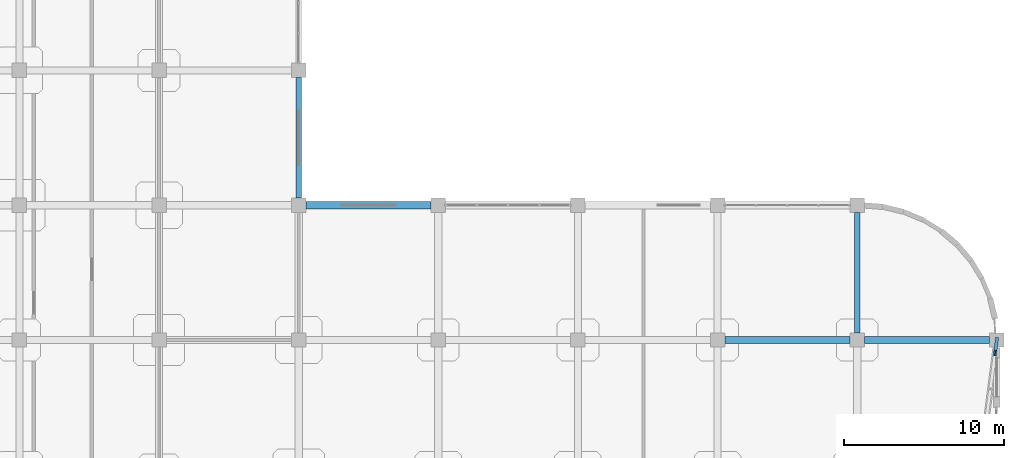
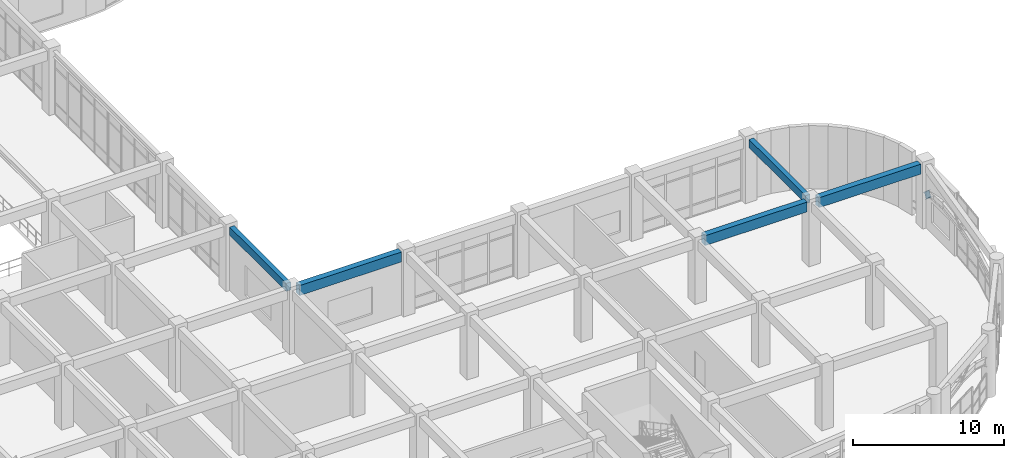
# One storey, part 60 of 114: 6 beams.
"""IFC4 building model written with IfcOpenShell, lengths in metres."""

from ifc_helpers import new_model, si_unit, derived_unit, direction, frame, origin, origin_2d, place, context, subcontext, project, spatial, rectangle, i_section, extrude, material, material_profile, profile_set, type_object, element, save


model = new_model("IFC4")

# Units and contexts
model_context = context("Model", 3, precision=1e-05, world=origin(), true_north=direction((0.0, 1.0)))
body_context = subcontext(model_context, "Body", "Model", "MODEL_VIEW")
ifc_project = project(units=[si_unit("LENGTHUNIT", "METRE"), si_unit("AREAUNIT", "SQUARE_METRE"), si_unit("VOLUMEUNIT", "CUBIC_METRE"), si_unit("PLANEANGLEUNIT", "RADIAN"), si_unit("MASSUNIT", "GRAM", prefix="KILO"), derived_unit("THERMALTRANSMITTANCEUNIT", [(si_unit("MASSUNIT", "GRAM", prefix="KILO"), 1), (si_unit("TIMEUNIT", "SECOND"), -3), (si_unit("THERMODYNAMICTEMPERATUREUNIT", "KELVIN"), -1)])], contexts=[model_context])

# Site, building, storey
site_placement = place(None, origin())
site = spatial("IfcSite", under=ifc_project, at=site_placement, CompositionType="ELEMENT")
building_placement = place(site_placement, origin())
building = spatial("IfcBuilding", under=site, at=building_placement, Name="Qinzheling Arcade Emporium", CompositionType="ELEMENT")
storey_placement = place(building_placement, frame((0.0, 0.0, 6.0)))
storey = spatial("IfcBuildingStorey", under=building, at=storey_placement, Name="L02", CompositionType="ELEMENT", Elevation=6.0)

# Beams
ifc_material_1 = material(Name="Weathering steel Q355NH", Category="steel")
ifc_material_profile_1 = material_profile(ifc_material_1, i_section(OverallWidth=0.199951171875, OverallDepth=0.5, WebThickness=0.010009765625, FlangeThickness=0.01611328125, FilletRadius=0.01806640625, at=origin_2d()), Name="HN 500x200x10x16", Category="steel")
ifc_profile_set_1 = profile_set([ifc_material_profile_1], Name="Weathering steel Q355NH")
beam_type_1 = type_object("IfcBeamType", Name="Arcade End Arch Rib HN500 Q355NH", PredefinedType="BEAM", material=ifc_profile_set_1)
beam_placement = place(storey_placement, frame((173.89306640625, 24.3798828125, 2.988037109375), z_axis=(0.097922725656, 0.750964464566, -0.65304173891), x_axis=(-0.991605348896, 0.12930132266, 0.0)))
element("IfcBeam", 1, at=beam_placement, inside=storey, type_object=beam_type_1, Name="Curved Arcade Entrance Arch ARC-L02-CV4-B04-C06", PredefinedType="BEAM", context=body_context, shape_type="SweptSolid", body=[
    extrude(i_section(OverallWidth=0.199951171875, OverallDepth=0.5, WebThickness=0.010009765625, FlangeThickness=0.01611328125, FilletRadius=0.01806640625, at=origin_2d()), origin(), (0.0, 0.0, 1.0), 1.092041015625),
])
ifc_material_2 = material(Name="Concrete C40", Category="concrete")
ifc_material_profile_2 = material_profile(ifc_material_2, rectangle(XDim=0.449951171875, YDim=0.800048828125, at=origin_2d()), Name="RC 450x800", Category="concrete")
ifc_profile_set_2 = profile_set([ifc_material_profile_2], Name="Concrete C40")
beam_type_2 = type_object("IfcBeamType", Name="RC Primary Frame Beam 450x800 C40", PredefinedType="BEAM", material=ifc_profile_set_2)
for number, where, z_axis, x_axis, name in (
    (2, (157.050048828125, 25.199951171875, 4.705078125), (1.0, 0.0, 0.0), (0.0, 1.0, 0.0), "Beam BM-L02-X-D-19"),
    (3, (165.75, 25.199951171875, 4.719970703125), (1.0, 0.0, 0.0), (0.0, 1.0, 0.0), "Beam BM-L02-X-D-20"),
    (4, (130.949951171875, 33.60009765625, 4.719970703125), (1.0, 0.0, 0.0), (0.0, 1.0, 0.0), "Beam BM-L02-X-E-16"),
):
    element("IfcBeam", number, at=place(storey_placement, frame(where, z_axis=z_axis, x_axis=x_axis)), inside=storey, type_object=beam_type_2, Name=name, PredefinedType="BEAM", context=body_context, shape_type="SweptSolid", body=[
        extrude(rectangle(XDim=0.449951171875, YDim=0.800048828125, at=origin_2d()), origin(), (0.0, 0.0, 1.0), 7.800048828125),
    ])
ifc_material_profile_3 = material_profile(ifc_material_2, rectangle(XDim=0.35009765625, YDim=0.64990234375, at=origin_2d()), Name="RC 350x650", Category="concrete")
ifc_profile_set_3 = profile_set([ifc_material_profile_3], Name="Concrete C40")
beam_type_3 = type_object("IfcBeamType", Name="RC Spandrel Edge Beam 350x650 C40", PredefinedType="SPANDREL", material=ifc_profile_set_3)
for number, where, z_axis, x_axis, name in (
    (5, (130.5, 34.050048828125, 4.794921875), (0.0, 1.0, 0.0), (-1.0, 0.0, 0.0), "Beam BM-L02-Y-16-E"),
    (6, (165.300048828125, 25.64990234375, 4.780029296875), (0.0, 1.0, 0.0), (-1.0, 0.0, 0.0), "Beam BM-L02-Y-20-D"),
):
    element("IfcBeam", number, at=place(storey_placement, frame(where, z_axis=z_axis, x_axis=x_axis)), inside=storey, type_object=beam_type_3, Name=name, PredefinedType="SPANDREL", context=body_context, shape_type="SweptSolid", body=[
        extrude(rectangle(XDim=0.35009765625, YDim=0.64990234375, at=origin_2d()), origin(), (0.0, 0.0, 1.0), 7.5),
    ])

save(model, "model.ifc")
